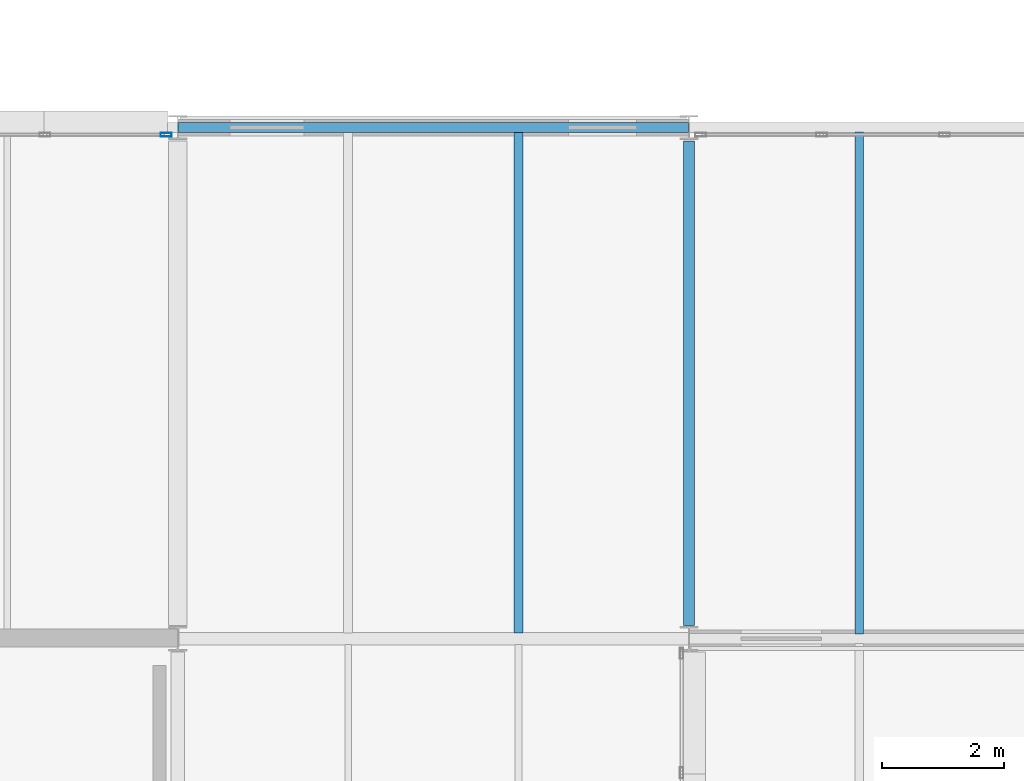
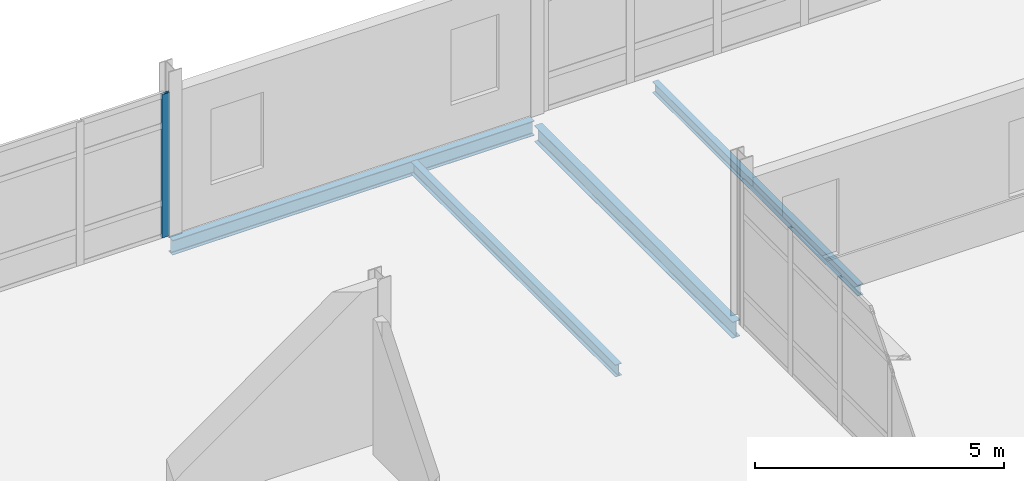
# One storey, part 45 of 151: 4 beams, 1 member, 1 element without a shape of its own.
"""IFC4 building model written with IfcOpenShell, lengths in metres."""

from ifc_helpers import new_model, si_unit, direction, frame, origin, origin_2d, place, context, subcontext, project, spatial, hollow_rectangle, i_section, extrude, material, material_profile, profile_set, type_object, element, aggregate, save


model = new_model("IFC4")

# Units and contexts
model_context = context("Model", 3, precision=1e-05, world=origin(), true_north=direction((0.0, 1.0)))
body_context = subcontext(model_context, "Body", "Model", "MODEL_VIEW")
ifc_project = project(units=[si_unit("LENGTHUNIT", "METRE"), si_unit("AREAUNIT", "SQUARE_METRE"), si_unit("VOLUMEUNIT", "CUBIC_METRE"), si_unit("PLANEANGLEUNIT", "RADIAN"), si_unit("MASSUNIT", "GRAM", prefix="KILO")], contexts=[model_context])

# Site, building, storey
site_placement = place(None, origin())
site = spatial("IfcSite", under=ifc_project, at=site_placement, CompositionType="ELEMENT")
building_placement = place(site_placement, origin())
building = spatial("IfcBuilding", under=site, at=building_placement, Name="Mersafa Astral City Hall", CompositionType="ELEMENT")
storey_placement = place(building_placement, frame((0.0, 0.0, 9.89990234375)))
storey = spatial("IfcBuildingStorey", under=building, at=storey_placement, Name="L02", CompositionType="ELEMENT", Elevation=9.89990234375)

# Curtain wall, member
ifc_material_1 = material(Name="Anodised bronze aluminium framing", Category="aluminium")
curtain_wall_type = type_object("IfcCurtainWallType", Name="ENV-CW-2", PredefinedType="USERDEFINED", material=ifc_material_1)
curtain_wall_placement = place(storey_placement, origin())
curtain_wall = element("IfcCurtainWall", 1, at=curtain_wall_placement, inside=storey, type_object=curtain_wall_type, Name="L02 Unitised solar curtain wall 133", ObjectType="UNITISED CURTAIN WALL", PredefinedType="USERDEFINED")
ifc_material_profile_1 = material_profile(ifc_material_1, hollow_rectangle(XDim=0.06005859375, YDim=0.179931640625, WallThickness=0.00390625, at=origin_2d()), Name="RHS 60x180x4")
ifc_profile_set_1 = profile_set([ifc_material_profile_1], Name="Anodised bronze aluminium framing")
member_type = type_object("IfcMemberType", Name="ENV-CW-MUL-1", PredefinedType="MULLION", material=ifc_profile_set_1)
member_placement = place(storey_placement, frame((16.60791015625, 100.679931640625, -0.001953125), z_axis=(0.0, 0.0, 1.0), x_axis=(0.0, -1.0, 0.0)))
member = element("IfcMember", 2, at=member_placement, type_object=member_type, Name="CW-2 mullion 1", PredefinedType="MULLION", context=body_context, shape_type="SweptSolid", body=[
    extrude(hollow_rectangle(XDim=0.06005859375, YDim=0.179931640625, WallThickness=0.00390625, at=origin_2d()), origin(), (0.0, 0.0, 1.0), 3.51904296875),
])
aggregate(curtain_wall, [member])

# Beams
ifc_material_2 = material(Name="Steel S355", Category="steel")
ifc_material_profile_2 = material_profile(ifc_material_2, i_section(OverallWidth=0.179931640625, OverallDepth=0.39990234375, WebThickness=0.008544921875, FlangeThickness=0.013427734375, FilletRadius=0.02099609375, at=origin_2d()), Name="IPE 400")
ifc_profile_set_2 = profile_set([ifc_material_profile_2], Name="Steel S355")
beam_type_1 = type_object("IfcBeamType", Name="STR-BM-IPE400", PredefinedType="BEAM", material=ifc_profile_set_2)
beam_1_placement = place(storey_placement, frame((25.199951171875, 92.6201171875, -0.39990234375), z_axis=(0.0, 1.0, 0.0), x_axis=(-1.0, 0.0, 0.0)))
element("IfcBeam", 3, at=beam_1_placement, inside=storey, type_object=beam_type_1, Name="L02 Primary girder Y 3-11", PredefinedType="BEAM", context=body_context, shape_type="SweptSolid", body=[
    extrude(i_section(OverallWidth=0.179931640625, OverallDepth=0.39990234375, WebThickness=0.008544921875, FlangeThickness=0.013427734375, FilletRadius=0.02099609375, at=origin_2d()), origin(), (0.0, 0.0, 1.0), 7.9599609375),
])
ifc_material_profile_3 = material_profile(ifc_material_2, i_section(OverallWidth=0.135009765625, OverallDepth=0.27001953125, WebThickness=0.006591796875, FlangeThickness=0.01025390625, FilletRadius=0.014892578125, at=origin_2d()), Name="IPE 270")
ifc_profile_set_3 = profile_set([ifc_material_profile_3], Name="Steel S355")
beam_type_2 = type_object("IfcBeamType", Name="STR-BM-JOIST-IPE270", PredefinedType="JOIST", material=ifc_profile_set_3)
beam_2_placement = place(storey_placement, frame((28.0, 92.47998046875, -0.3349609375), z_axis=(0.0, 1.0, 0.0), x_axis=(-1.0, 0.0, 0.0)))
element("IfcBeam", 4, at=beam_2_placement, inside=storey, type_object=beam_type_2, Name="L02 Composite secondary floor joist 412", PredefinedType="JOIST", context=body_context, shape_type="SweptSolid", body=[
    extrude(i_section(OverallWidth=0.135009765625, OverallDepth=0.27001953125, WebThickness=0.006591796875, FlangeThickness=0.01025390625, FilletRadius=0.014892578125, at=origin_2d()), origin(), (0.0, 0.0, 1.0), 8.2451171875),
])
ifc_material_profile_4 = material_profile(ifc_material_2, i_section(OverallWidth=0.14990234375, OverallDepth=0.300048828125, WebThickness=0.007080078125, FlangeThickness=0.0107421875, FilletRadius=0.014892578125, at=origin_2d()), Name="IPE 300")
ifc_profile_set_4 = profile_set([ifc_material_profile_4], Name="Steel S355")
beam_type_3 = type_object("IfcBeamType", Name="STR-BM-JOIST-IPE300", PredefinedType="JOIST", material=ifc_profile_set_4)
beam_3_placement = place(storey_placement, frame((22.39990234375, 92.4951171875, -0.349853515625), z_axis=(0.0, 1.0, 0.0), x_axis=(-1.0, 0.0, 0.0)))
element("IfcBeam", 5, at=beam_3_placement, inside=storey, type_object=beam_type_3, Name="L02 Composite secondary floor joist 411", PredefinedType="JOIST", context=body_context, shape_type="SweptSolid", body=[
    extrude(i_section(OverallWidth=0.14990234375, OverallDepth=0.300048828125, WebThickness=0.007080078125, FlangeThickness=0.0107421875, FilletRadius=0.014892578125, at=origin_2d()), origin(), (0.0, 0.0, 1.0), 8.224853515625),
])
ifc_material_profile_5 = material_profile(ifc_material_2, i_section(OverallWidth=0.169921875, OverallDepth=0.360107421875, WebThickness=0.008056640625, FlangeThickness=0.0126953125, FilletRadius=0.01806640625, at=origin_2d()), Name="IPE 360")
ifc_profile_set_5 = profile_set([ifc_material_profile_5], Name="Steel S355")
beam_type_4 = type_object("IfcBeamType", Name="STR-BM-SPANDREL-IPE360", PredefinedType="SPANDREL", material=ifc_profile_set_5)
beam_4_placement = place(storey_placement, frame((16.802978515625, 100.800048828125, -0.3798828125), z_axis=(1.0, 0.0, 0.0), x_axis=(0.0, 1.0, 0.0)))
element("IfcBeam", 6, at=beam_4_placement, inside=storey, type_object=beam_type_4, Name="L02 Primary girder X 2-12", PredefinedType="SPANDREL", context=body_context, shape_type="SweptSolid", body=[
    extrude(i_section(OverallWidth=0.169921875, OverallDepth=0.360107421875, WebThickness=0.008056640625, FlangeThickness=0.0126953125, FilletRadius=0.01806640625, at=origin_2d()), origin(), (0.0, 0.0, 1.0), 8.39404296875),
])

save(model, "model.ifc")
